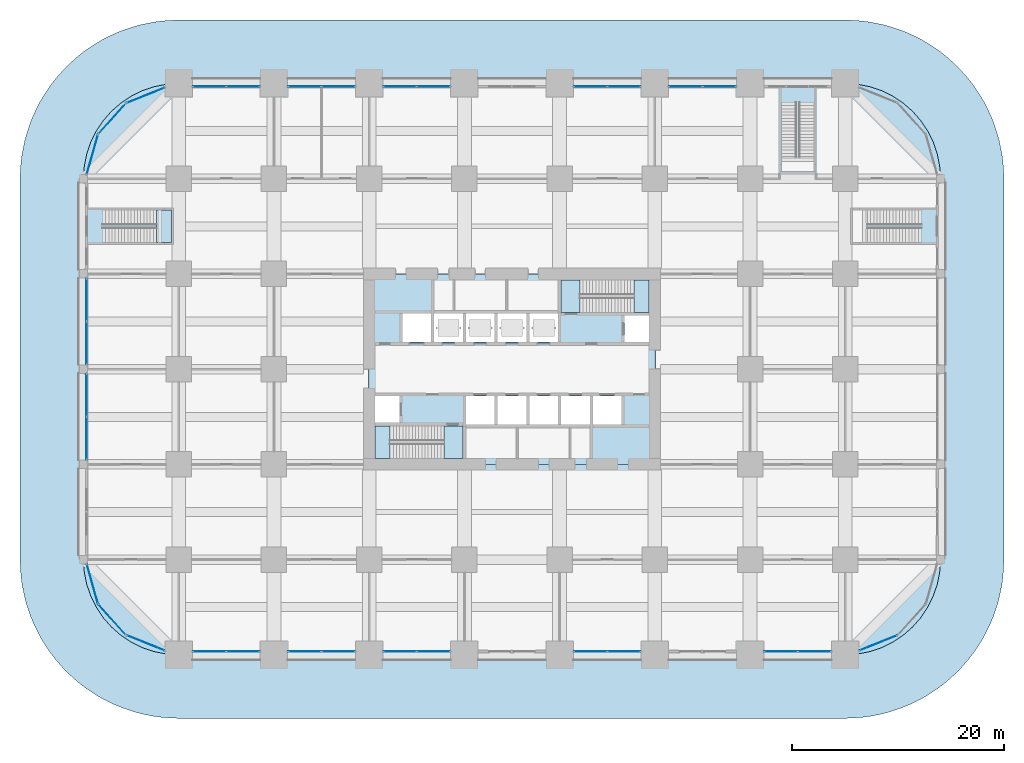
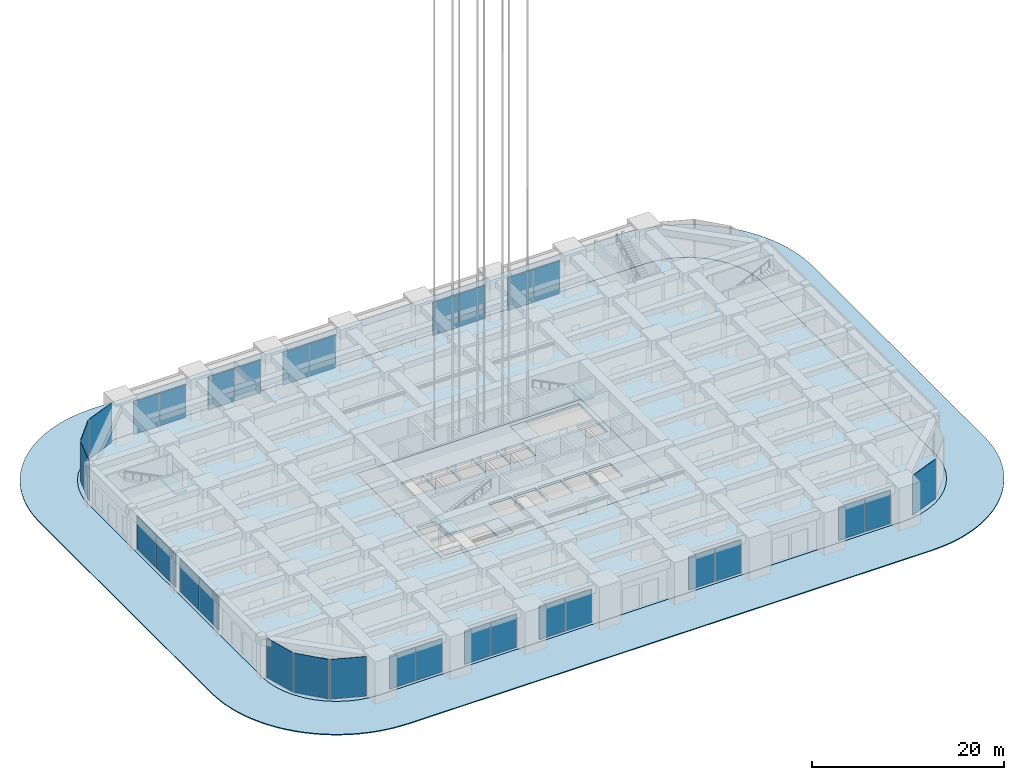
# One storey, part 39 of 56: 31 plates, 8 slabs, 22 elements without a shape of their own.
"""IFC4 building model written with IfcOpenShell, lengths in metres."""

import ifcopenshell
import ifcopenshell.guid

model = None  # the IFC model being written
_history = None  # IfcOwnerHistory: only IFC2X3 demands one
_inside = {}  # id of a spatial element -> (the spatial element, [elements in it])
_under = {}  # id of a project, library or spatial element -> (it, [spatial elements below it])
_declared = {}  # id of a project -> (the project, [libraries it declares])
_typed = {}  # id of a type object -> (the type object, [elements of that type])
_made_of = {}  # id of a material, layer set ... -> (it, [elements and type objects made of it])


def new_model(schema):
    """Start an empty IFC model of exactly this schema.

    Asked for "IFC4X3", IfcOpenShell would pick the latest addendum, in which some entities
    have other attributes; the version numbers below select the first issue.
    IFC2X3 requires an IfcOwnerHistory on every rooted entity: one is made here for all.
    """
    global model, _history
    if schema == "IFC4X3":
        model = ifcopenshell.file(schema_version=(4, 3, 0, 0))
    else:
        model = ifcopenshell.file(schema=schema)
    _inside.clear()
    _under.clear()
    _declared.clear()
    _typed.clear()
    _made_of.clear()
    _history = None
    if model.schema == "IFC2X3":
        org = make("IfcOrganization", Name="unknown")
        user = make(
            "IfcPersonAndOrganization",
            ThePerson=make("IfcPerson", FamilyName="unknown"),
            TheOrganization=org,
        )
        app = make(
            "IfcApplication",
            ApplicationDeveloper=org,
            Version="unknown",
            ApplicationFullName="unknown",
            ApplicationIdentifier="unknown",
        )
        _history = make(
            "IfcOwnerHistory",
            OwningUser=user,
            OwningApplication=app,
            ChangeAction="ADDED",
            CreationDate=0,
        )
    return model


def make(cls, **values):
    """One entity of the class cls with the attributes given. An attribute that is None is left unset."""
    return model.create_entity(
        cls, **{name: value for name, value in values.items() if value is not None}
    )


def rooted(cls, **values):
    """An entity with a GlobalId (a new one), such as an element, a storey or a relation."""
    return make(cls, GlobalId=ifcopenshell.guid.new(), OwnerHistory=_history, **values)


def si_unit(unit_type, name, prefix=None):
    """IfcSIUnit, for example si_unit("LENGTHUNIT", "METRE", prefix="MILLI")."""
    return make("IfcSIUnit", UnitType=unit_type, Prefix=prefix, Name=name)


def assignment(units):
    """IfcUnitAssignment: the units of a project."""
    return None if units is None else make("IfcUnitAssignment", Units=units)


def point(xyz):
    """IfcCartesianPoint."""
    return None if xyz is None else make("IfcCartesianPoint", Coordinates=xyz)


def direction(xyz):
    """IfcDirection."""
    return None if xyz is None else make("IfcDirection", DirectionRatios=xyz)


def frame(location, z_axis=None, x_axis=None):
    """IfcAxis2Placement3D, a coordinate frame: its origin and axes. An axis left out is left unset."""
    return make(
        "IfcAxis2Placement3D",
        Location=point(location),
        Axis=direction(z_axis),
        RefDirection=direction(x_axis),
    )


def frame_2d(location, x_axis=None):
    """IfcAxis2Placement2D, a coordinate frame in the plane: its origin and x axis."""
    return make(
        "IfcAxis2Placement2D", Location=point(location), RefDirection=direction(x_axis)
    )


def origin():
    """The frame at (0, 0, 0) with its axes left unset."""
    return frame((0.0, 0.0, 0.0))


def origin_2d():
    """The frame at (0, 0) in the plane with its x axis left unset."""
    return frame_2d((0.0, 0.0))


def place(relative_to, where):
    """IfcLocalPlacement: puts the frame where relative to a parent placement (None: the world)."""
    return make(
        "IfcLocalPlacement", PlacementRelTo=relative_to, RelativePlacement=where
    )


def context(
    kind, dimensions, precision=None, world=None, true_north=None, identifier=None
):
    """IfcGeometricRepresentationContext, for example the 3D "Model" context."""
    return make(
        "IfcGeometricRepresentationContext",
        ContextIdentifier=identifier,
        ContextType=kind,
        CoordinateSpaceDimension=dimensions,
        Precision=precision,
        WorldCoordinateSystem=world,
        TrueNorth=true_north,
    )


def subcontext(parent, identifier, kind, view, scale=None):
    """IfcGeometricRepresentationSubContext, for example "Body" below "Model"."""
    return make(
        "IfcGeometricRepresentationSubContext",
        ContextIdentifier=identifier,
        ContextType=kind,
        ParentContext=parent,
        TargetScale=scale,
        TargetView=view,
    )


def project(units=None, contexts=None):
    """IfcProject with its units and contexts."""
    return rooted(
        "IfcProject",
        Name="project",
        RepresentationContexts=contexts,
        UnitsInContext=assignment(units),
    )


def spatial(cls, under=None, at=None, **own):
    """A site, building, storey or space (cls), placed at a placement, below another one or the project."""
    s = rooted(cls, ObjectPlacement=at, **own)
    if under is not None:
        _under.setdefault(under.id(), (under, []))[1].append(s)
    return s


def polyline(points):
    """IfcPolyline through the points."""
    return make("IfcPolyline", Points=[point(p) for p in points])


def profile(cls, at=None, kind="AREA", **sizes):
    """A parametric profile (cls). Its sizes go by their IFC names, for example OverallWidth=200.0."""
    return make(cls, ProfileType=kind, Position=at, **sizes)


def rectangle(**sizes):
    """IfcRectangleProfileDef."""
    return profile("IfcRectangleProfileDef", **sizes)


def outline(outer, holes=None, kind="AREA"):
    """IfcArbitraryClosedProfileDef: a profile drawn as a closed curve; with holes, ...WithVoids."""
    if holes is None:
        return make("IfcArbitraryClosedProfileDef", ProfileType=kind, OuterCurve=outer)
    return make(
        "IfcArbitraryProfileDefWithVoids",
        ProfileType=kind,
        OuterCurve=outer,
        InnerCurves=holes,
    )


def extrude(swept, where, along, depth):
    """IfcExtrudedAreaSolid: the profile swept, set in the frame where, extruded along a direction by depth."""
    return make(
        "IfcExtrudedAreaSolid",
        SweptArea=swept,
        Position=where,
        ExtrudedDirection=direction(along),
        Depth=depth,
    )


def shape(context_of_items, identifier, shape_type, items):
    """IfcShapeRepresentation: the items that make up one representation, for example the "Body"."""
    return make(
        "IfcShapeRepresentation",
        ContextOfItems=context_of_items,
        RepresentationIdentifier=identifier,
        RepresentationType=shape_type,
        Items=items,
    )


def material(Name=None, Category=None):
    """IfcMaterial."""
    return make("IfcMaterial", Name=Name, Category=Category)


def layer(
    of_material, thickness, ventilated=None, Name=None, Category=None, Priority=None
):
    """IfcMaterialLayer: one layer of a wall or slab, of a material (None: an air gap)."""
    return make(
        "IfcMaterialLayer",
        Material=of_material,
        LayerThickness=thickness,
        IsVentilated=ventilated,
        Name=Name,
        Category=Category,
        Priority=Priority,
    )


def layer_set(layers, Name=None):
    """IfcMaterialLayerSet."""
    return make("IfcMaterialLayerSet", MaterialLayers=layers, LayerSetName=Name)


def made_of(thing, what):
    """Note that an element or type object is made of a material, layer set ...; save() writes the relation."""
    if what is not None:
        _made_of.setdefault(what.id(), (what, []))[1].append(thing)
    return thing


def type_object(cls, material=None, **own):
    """A type object (cls), such as IfcWallType, which elements share."""
    return made_of(rooted(cls, **own), material)


def element(
    cls,
    number,
    at=None,
    inside=None,
    cuts=None,
    type_object=None,
    material=None,
    context=None,
    identifier="Body",
    shape_type=None,
    held_by="IfcProductDefinitionShape",
    body=None,
    shapes=None,
    **own,
):
    """One element of the class cls, such as IfcWall. Its Tag is "e" and its number.

    at: its placement. inside: the storey or other place that contains it. cuts: it is an
    opening in that element (IfcRelVoidsElement). A single representation is given by context,
    identifier, shape_type and body (its items); several are given by shapes. held_by: the class
    of the entity that holds the representations. save() writes the other relations.
    """
    e = rooted(cls, Tag="e%d" % number, ObjectPlacement=at, **own)
    if body is not None:
        shapes = [shape(context, identifier, shape_type, body)]
    if shapes is not None:
        e.Representation = make(held_by, Representations=shapes)
    if inside is not None:
        _inside.setdefault(inside.id(), (inside, []))[1].append(e)
    if cuts is not None:
        rooted(
            "IfcRelVoidsElement", RelatingBuildingElement=cuts, RelatedOpeningElement=e
        )
    if type_object is not None:
        _typed.setdefault(type_object.id(), (type_object, []))[1].append(e)
    return made_of(e, material)


def aggregate(whole, parts):
    """IfcRelAggregates: a whole, such as a stair, and the parts it consists of."""
    return rooted("IfcRelAggregates", RelatingObject=whole, RelatedObjects=parts)


def save(model, path):
    """Write the relations noted so far, then the file.

    IfcRelAggregates (storeys below a building ...), IfcRelContainedInSpatialStructure (elements
    in a storey), IfcRelDefinesByType, IfcRelAssociatesMaterial and IfcRelDeclares: one each for
    every whole, place, type object, material and project.
    """
    for whole, parts in _under.values():
        aggregate(whole, parts)
    for where, things in _inside.values():
        rooted(
            "IfcRelContainedInSpatialStructure",
            RelatedElements=things,
            RelatingStructure=where,
        )
    for kind, things in _typed.values():
        rooted("IfcRelDefinesByType", RelatedObjects=things, RelatingType=kind)
    for what, things in _made_of.values():
        rooted("IfcRelAssociatesMaterial", RelatedObjects=things, RelatingMaterial=what)
    for by, libraries in _declared.values():
        rooted("IfcRelDeclares", RelatingContext=by, RelatedDefinitions=libraries)
    model.write(path)


model = new_model("IFC4")

# Units and contexts
model_context = context("Model", 3, precision=1e-05, world=origin(), true_north=direction((0.0, 1.0)))
body_context = subcontext(model_context, "Body", "Model", "MODEL_VIEW")
ifc_project = project(units=[si_unit("LENGTHUNIT", "METRE"), si_unit("AREAUNIT", "SQUARE_METRE"), si_unit("VOLUMEUNIT", "CUBIC_METRE"), si_unit("PLANEANGLEUNIT", "RADIAN"), si_unit("MASSUNIT", "GRAM", prefix="KILO")], contexts=[model_context])

# Site, building, storey
site_placement = place(None, origin())
site = spatial("IfcSite", under=ifc_project, at=site_placement, CompositionType="ELEMENT")
building_placement = place(site_placement, origin())
building = spatial("IfcBuilding", under=site, at=building_placement, Name="Zorevar Civic Tower", CompositionType="ELEMENT")
storey_placement = place(building_placement, origin())
storey = spatial("IfcBuildingStorey", under=building, at=storey_placement, Name="L00", CompositionType="ELEMENT", Elevation=0.0)

# Curtain wall, plates
ifc_material_1 = material(Name="Dark grey solar-control glass in black aluminium frame", Category="aluminium")
curtain_wall_type = type_object("IfcCurtainWallType", Name="Curtain wall CW1 podium", PredefinedType="NOTDEFINED", material=ifc_material_1)
curtain_wall_1_placement = place(storey_placement, origin())
curtain_wall_1 = element("IfcCurtainWall", 1, at=curtain_wall_1_placement, inside=storey, type_object=curtain_wall_type, Name="CW1 L00", PredefinedType="NOTDEFINED")
ifc_material_2 = material(Name="Dark grey solar-control glass", Category="glass")
ifc_layer_1 = layer(ifc_material_2, 0.033935546875)
ifc_layer_set_1 = layer_set([ifc_layer_1], Name="CW1 panel 34")
plate_type = type_object("IfcPlateType", Name="CW1 panel 34", PredefinedType="CURTAIN_PANEL", material=ifc_layer_set_1)
plate_1_placement = place(storey_placement, frame((2.9150390625, 0.300048828125, 0.06005859375), z_axis=(0.0, 0.0, 1.0), x_axis=(1.0, 0.0, 0.0)))
plate_1 = element("IfcPlate", 2, at=plate_1_placement, type_object=plate_type, Name="CW1 panel 1.1", PredefinedType="CURTAIN_PANEL", context=body_context, shape_type="SweptSolid", body=[
    extrude(rectangle(XDim=3.110107421875, YDim=0.033935546875, at=origin_2d()), origin(), (0.0, 0.0, 1.0), 4.239990234375),
])
plate_2_placement = place(storey_placement, frame((6.0849609375, 0.300048828125, 0.06005859375), z_axis=(0.0, 0.0, 1.0), x_axis=(1.0, 0.0, 0.0)))
plate_2 = element("IfcPlate", 3, at=plate_2_placement, type_object=plate_type, Name="CW1 panel 2.1", PredefinedType="CURTAIN_PANEL", context=body_context, shape_type="SweptSolid", body=[
    extrude(rectangle(XDim=3.110107421875, YDim=0.033935546875, at=origin_2d()), origin(), (0.0, 0.0, 1.0), 4.239990234375),
])
aggregate(curtain_wall_1, [plate_1, plate_2])

curtain_wall_2_placement = place(storey_placement, origin())
curtain_wall_2 = element("IfcCurtainWall", 4, at=curtain_wall_2_placement, inside=storey, type_object=curtain_wall_type, Name="CW1 L00", PredefinedType="NOTDEFINED")
plate_3_placement = place(storey_placement, frame((2.9150390625, 53.699951171875, 0.06005859375), z_axis=(0.0, 0.0, 1.0), x_axis=(1.0, 0.0, 0.0)))
plate_3 = element("IfcPlate", 5, at=plate_3_placement, type_object=plate_type, Name="CW1 panel 1.1", PredefinedType="CURTAIN_PANEL", context=body_context, shape_type="SweptSolid", body=[
    extrude(rectangle(XDim=3.110107421875, YDim=0.033935546875, at=origin_2d()), origin(), (0.0, 0.0, 1.0), 4.239990234375),
])
plate_4_placement = place(storey_placement, frame((6.0849609375, 53.699951171875, 0.06005859375), z_axis=(0.0, 0.0, 1.0), x_axis=(1.0, 0.0, 0.0)))
plate_4 = element("IfcPlate", 6, at=plate_4_placement, type_object=plate_type, Name="CW1 panel 2.1", PredefinedType="CURTAIN_PANEL", context=body_context, shape_type="SweptSolid", body=[
    extrude(rectangle(XDim=3.110107421875, YDim=0.033935546875, at=origin_2d()), origin(), (0.0, 0.0, 1.0), 4.239990234375),
])
aggregate(curtain_wall_2, [plate_3, plate_4])

curtain_wall_3_placement = place(storey_placement, origin())
curtain_wall_3 = element("IfcCurtainWall", 7, at=curtain_wall_3_placement, inside=storey, type_object=curtain_wall_type, Name="CW1 L00", PredefinedType="NOTDEFINED")
plate_5_placement = place(storey_placement, frame((11.9150390625, 0.300048828125, 0.06005859375), z_axis=(0.0, 0.0, 1.0), x_axis=(1.0, 0.0, 0.0)))
plate_5 = element("IfcPlate", 8, at=plate_5_placement, type_object=plate_type, Name="CW1 panel 1.1", PredefinedType="CURTAIN_PANEL", context=body_context, shape_type="SweptSolid", body=[
    extrude(rectangle(XDim=3.110107421875, YDim=0.033935546875, at=origin_2d()), origin(), (0.0, 0.0, 1.0), 4.239990234375),
])
plate_6_placement = place(storey_placement, frame((15.0849609375, 0.300048828125, 0.06005859375), z_axis=(0.0, 0.0, 1.0), x_axis=(1.0, 0.0, 0.0)))
plate_6 = element("IfcPlate", 9, at=plate_6_placement, type_object=plate_type, Name="CW1 panel 2.1", PredefinedType="CURTAIN_PANEL", context=body_context, shape_type="SweptSolid", body=[
    extrude(rectangle(XDim=3.110107421875, YDim=0.033935546875, at=origin_2d()), origin(), (0.0, 0.0, 1.0), 4.239990234375),
])
aggregate(curtain_wall_3, [plate_5, plate_6])

curtain_wall_4_placement = place(storey_placement, origin())
curtain_wall_4 = element("IfcCurtainWall", 10, at=curtain_wall_4_placement, inside=storey, type_object=curtain_wall_type, Name="CW1 L00", PredefinedType="NOTDEFINED")
plate_7_placement = place(storey_placement, frame((11.9150390625, 53.699951171875, 0.06005859375), z_axis=(0.0, 0.0, 1.0), x_axis=(1.0, 0.0, 0.0)))
plate_7 = element("IfcPlate", 11, at=plate_7_placement, type_object=plate_type, Name="CW1 panel 1.1", PredefinedType="CURTAIN_PANEL", context=body_context, shape_type="SweptSolid", body=[
    extrude(rectangle(XDim=3.110107421875, YDim=0.033935546875, at=origin_2d()), origin(), (0.0, 0.0, 1.0), 4.239990234375),
])
plate_8_placement = place(storey_placement, frame((15.0849609375, 53.699951171875, 0.06005859375), z_axis=(0.0, 0.0, 1.0), x_axis=(1.0, 0.0, 0.0)))
plate_8 = element("IfcPlate", 12, at=plate_8_placement, type_object=plate_type, Name="CW1 panel 2.1", PredefinedType="CURTAIN_PANEL", context=body_context, shape_type="SweptSolid", body=[
    extrude(rectangle(XDim=3.110107421875, YDim=0.033935546875, at=origin_2d()), origin(), (0.0, 0.0, 1.0), 4.239990234375),
])
aggregate(curtain_wall_4, [plate_7, plate_8])

curtain_wall_5_placement = place(storey_placement, origin())
curtain_wall_5 = element("IfcCurtainWall", 13, at=curtain_wall_5_placement, inside=storey, type_object=curtain_wall_type, Name="CW1 L00", PredefinedType="NOTDEFINED")
plate_9_placement = place(storey_placement, frame((20.9150390625, 0.300048828125, 0.06005859375), z_axis=(0.0, 0.0, 1.0), x_axis=(1.0, 0.0, 0.0)))
plate_9 = element("IfcPlate", 14, at=plate_9_placement, type_object=plate_type, Name="CW1 panel 1.1", PredefinedType="CURTAIN_PANEL", context=body_context, shape_type="SweptSolid", body=[
    extrude(rectangle(XDim=3.110107421875, YDim=0.033935546875, at=origin_2d()), origin(), (0.0, 0.0, 1.0), 4.239990234375),
])
plate_10_placement = place(storey_placement, frame((24.0849609375, 0.300048828125, 0.06005859375), z_axis=(0.0, 0.0, 1.0), x_axis=(1.0, 0.0, 0.0)))
plate_10 = element("IfcPlate", 15, at=plate_10_placement, type_object=plate_type, Name="CW1 panel 2.1", PredefinedType="CURTAIN_PANEL", context=body_context, shape_type="SweptSolid", body=[
    extrude(rectangle(XDim=3.110107421875, YDim=0.033935546875, at=origin_2d()), origin(), (0.0, 0.0, 1.0), 4.239990234375),
])
aggregate(curtain_wall_5, [plate_9, plate_10])

curtain_wall_6_placement = place(storey_placement, origin())
curtain_wall_6 = element("IfcCurtainWall", 16, at=curtain_wall_6_placement, inside=storey, type_object=curtain_wall_type, Name="CW1 L00", PredefinedType="NOTDEFINED")
plate_11_placement = place(storey_placement, frame((20.9150390625, 53.699951171875, 0.06005859375), z_axis=(0.0, 0.0, 1.0), x_axis=(1.0, 0.0, 0.0)))
plate_11 = element("IfcPlate", 17, at=plate_11_placement, type_object=plate_type, Name="CW1 panel 1.1", PredefinedType="CURTAIN_PANEL", context=body_context, shape_type="SweptSolid", body=[
    extrude(rectangle(XDim=3.110107421875, YDim=0.033935546875, at=origin_2d()), origin(), (0.0, 0.0, 1.0), 4.239990234375),
])
plate_12_placement = place(storey_placement, frame((24.0849609375, 53.699951171875, 0.06005859375), z_axis=(0.0, 0.0, 1.0), x_axis=(1.0, 0.0, 0.0)))
plate_12 = element("IfcPlate", 18, at=plate_12_placement, type_object=plate_type, Name="CW1 panel 2.1", PredefinedType="CURTAIN_PANEL", context=body_context, shape_type="SweptSolid", body=[
    extrude(rectangle(XDim=3.110107421875, YDim=0.033935546875, at=origin_2d()), origin(), (0.0, 0.0, 1.0), 4.239990234375),
])
aggregate(curtain_wall_6, [plate_11, plate_12])

curtain_wall_7_placement = place(storey_placement, origin())
curtain_wall_7 = element("IfcCurtainWall", 19, at=curtain_wall_7_placement, inside=storey, type_object=curtain_wall_type, Name="CW1 L00", PredefinedType="NOTDEFINED")
plate_13_placement = place(storey_placement, frame((38.9150390625, 0.300048828125, 0.06005859375), z_axis=(0.0, 0.0, 1.0), x_axis=(1.0, 0.0, 0.0)))
plate_13 = element("IfcPlate", 20, at=plate_13_placement, type_object=plate_type, Name="CW1 panel 1.1", PredefinedType="CURTAIN_PANEL", context=body_context, shape_type="SweptSolid", body=[
    extrude(rectangle(XDim=3.110107421875, YDim=0.033935546875, at=origin_2d()), origin(), (0.0, 0.0, 1.0), 4.239990234375),
])
plate_14_placement = place(storey_placement, frame((42.0849609375, 0.300048828125, 0.06005859375), z_axis=(0.0, 0.0, 1.0), x_axis=(1.0, 0.0, 0.0)))
plate_14 = element("IfcPlate", 21, at=plate_14_placement, type_object=plate_type, Name="CW1 panel 2.1", PredefinedType="CURTAIN_PANEL", context=body_context, shape_type="SweptSolid", body=[
    extrude(rectangle(XDim=3.110107421875, YDim=0.033935546875, at=origin_2d()), origin(), (0.0, 0.0, 1.0), 4.239990234375),
])
aggregate(curtain_wall_7, [plate_13, plate_14])

curtain_wall_8_placement = place(storey_placement, origin())
curtain_wall_8 = element("IfcCurtainWall", 22, at=curtain_wall_8_placement, inside=storey, type_object=curtain_wall_type, Name="CW1 L00", PredefinedType="NOTDEFINED")
plate_15_placement = place(storey_placement, frame((38.9150390625, 53.699951171875, 0.06005859375), z_axis=(0.0, 0.0, 1.0), x_axis=(1.0, 0.0, 0.0)))
plate_15 = element("IfcPlate", 23, at=plate_15_placement, type_object=plate_type, Name="CW1 panel 1.1", PredefinedType="CURTAIN_PANEL", context=body_context, shape_type="SweptSolid", body=[
    extrude(rectangle(XDim=3.110107421875, YDim=0.033935546875, at=origin_2d()), origin(), (0.0, 0.0, 1.0), 4.239990234375),
])
plate_16_placement = place(storey_placement, frame((42.0849609375, 53.699951171875, 0.06005859375), z_axis=(0.0, 0.0, 1.0), x_axis=(1.0, 0.0, 0.0)))
plate_16 = element("IfcPlate", 24, at=plate_16_placement, type_object=plate_type, Name="CW1 panel 2.1", PredefinedType="CURTAIN_PANEL", context=body_context, shape_type="SweptSolid", body=[
    extrude(rectangle(XDim=3.110107421875, YDim=0.033935546875, at=origin_2d()), origin(), (0.0, 0.0, 1.0), 4.239990234375),
])
aggregate(curtain_wall_8, [plate_15, plate_16])

curtain_wall_9_placement = place(storey_placement, origin())
curtain_wall_9 = element("IfcCurtainWall", 25, at=curtain_wall_9_placement, inside=storey, type_object=curtain_wall_type, Name="CW1 L00", PredefinedType="NOTDEFINED")
plate_17_placement = place(storey_placement, frame((47.9150390625, 53.699951171875, 0.06005859375), z_axis=(0.0, 0.0, 1.0), x_axis=(1.0, 0.0, 0.0)))
plate_17 = element("IfcPlate", 26, at=plate_17_placement, type_object=plate_type, Name="CW1 panel 1.1", PredefinedType="CURTAIN_PANEL", context=body_context, shape_type="SweptSolid", body=[
    extrude(rectangle(XDim=3.110107421875, YDim=0.033935546875, at=origin_2d()), origin(), (0.0, 0.0, 1.0), 4.239990234375),
])
plate_18_placement = place(storey_placement, frame((51.0849609375, 53.699951171875, 0.06005859375), z_axis=(0.0, 0.0, 1.0), x_axis=(1.0, 0.0, 0.0)))
plate_18 = element("IfcPlate", 27, at=plate_18_placement, type_object=plate_type, Name="CW1 panel 2.1", PredefinedType="CURTAIN_PANEL", context=body_context, shape_type="SweptSolid", body=[
    extrude(rectangle(XDim=3.110107421875, YDim=0.033935546875, at=origin_2d()), origin(), (0.0, 0.0, 1.0), 4.239990234375),
])
aggregate(curtain_wall_9, [plate_17, plate_18])

curtain_wall_10_placement = place(storey_placement, origin())
curtain_wall_10 = element("IfcCurtainWall", 28, at=curtain_wall_10_placement, inside=storey, type_object=curtain_wall_type, Name="CW1 L00", PredefinedType="NOTDEFINED")
plate_19_placement = place(storey_placement, frame((56.9150390625, 0.300048828125, 0.06005859375), z_axis=(0.0, 0.0, 1.0), x_axis=(1.0, 0.0, 0.0)))
plate_19 = element("IfcPlate", 29, at=plate_19_placement, type_object=plate_type, Name="CW1 panel 1.1", PredefinedType="CURTAIN_PANEL", context=body_context, shape_type="SweptSolid", body=[
    extrude(rectangle(XDim=3.110107421875, YDim=0.033935546875, at=origin_2d()), origin(), (0.0, 0.0, 1.0), 4.239990234375),
])
plate_20_placement = place(storey_placement, frame((60.0849609375, 0.300048828125, 0.06005859375), z_axis=(0.0, 0.0, 1.0), x_axis=(1.0, 0.0, 0.0)))
plate_20 = element("IfcPlate", 30, at=plate_20_placement, type_object=plate_type, Name="CW1 panel 2.1", PredefinedType="CURTAIN_PANEL", context=body_context, shape_type="SweptSolid", body=[
    extrude(rectangle(XDim=3.110107421875, YDim=0.033935546875, at=origin_2d()), origin(), (0.0, 0.0, 1.0), 4.239990234375),
])
aggregate(curtain_wall_10, [plate_19, plate_20])

curtain_wall_11_placement = place(storey_placement, origin())
curtain_wall_11 = element("IfcCurtainWall", 31, at=curtain_wall_11_placement, inside=storey, type_object=curtain_wall_type, Name="CW1 L00", PredefinedType="NOTDEFINED")
plate_21_placement = place(storey_placement, frame((-8.699951171875, 20.465087890625, 0.06005859375), z_axis=(0.0, 0.0, 1.0), x_axis=(0.0, 1.0, 0.0)))
plate_21 = element("IfcPlate", 32, at=plate_21_placement, type_object=plate_type, Name="CW1 panel 1.1", PredefinedType="CURTAIN_PANEL", context=body_context, shape_type="SweptSolid", body=[
    extrude(rectangle(XDim=4.010009765625, YDim=0.033935546875, at=origin_2d()), origin(), (0.0, 0.0, 1.0), 4.239990234375),
])
plate_22_placement = place(storey_placement, frame((-8.699951171875, 24.534912109375, 0.06005859375), z_axis=(0.0, 0.0, 1.0), x_axis=(0.0, 1.0, 0.0)))
plate_22 = element("IfcPlate", 33, at=plate_22_placement, type_object=plate_type, Name="CW1 panel 2.1", PredefinedType="CURTAIN_PANEL", context=body_context, shape_type="SweptSolid", body=[
    extrude(rectangle(XDim=4.010009765625, YDim=0.033935546875, at=origin_2d()), origin(), (0.0, 0.0, 1.0), 4.239990234375),
])
aggregate(curtain_wall_11, [plate_21, plate_22])

curtain_wall_12_placement = place(storey_placement, origin())
curtain_wall_12 = element("IfcCurtainWall", 34, at=curtain_wall_12_placement, inside=storey, type_object=curtain_wall_type, Name="CW1 L00", PredefinedType="NOTDEFINED")
plate_23_placement = place(storey_placement, frame((-8.699951171875, 29.465087890625, 0.06005859375), z_axis=(0.0, 0.0, 1.0), x_axis=(0.0, 1.0, 0.0)))
plate_23 = element("IfcPlate", 35, at=plate_23_placement, type_object=plate_type, Name="CW1 panel 1.1", PredefinedType="CURTAIN_PANEL", context=body_context, shape_type="SweptSolid", body=[
    extrude(rectangle(XDim=4.010009765625, YDim=0.033935546875, at=origin_2d()), origin(), (0.0, 0.0, 1.0), 4.239990234375),
])
plate_24_placement = place(storey_placement, frame((-8.699951171875, 33.534912109375, 0.06005859375), z_axis=(0.0, 0.0, 1.0), x_axis=(0.0, 1.0, 0.0)))
plate_24 = element("IfcPlate", 36, at=plate_24_placement, type_object=plate_type, Name="CW1 panel 2.1", PredefinedType="CURTAIN_PANEL", context=body_context, shape_type="SweptSolid", body=[
    extrude(rectangle(XDim=4.010009765625, YDim=0.033935546875, at=origin_2d()), origin(), (0.0, 0.0, 1.0), 4.239990234375),
])
aggregate(curtain_wall_12, [plate_23, plate_24])

# Curtain wall, plate
curtain_wall_13_placement = place(storey_placement, origin())
curtain_wall_13 = element("IfcCurtainWall", 37, at=curtain_wall_13_placement, inside=storey, type_object=curtain_wall_type, Name="CW1 L00", PredefinedType="NOTDEFINED")
plate_25_placement = place(storey_placement, frame((66.1357421875, 1.129150390625, 0.06005859375), z_axis=(0.0, 0.0, 1.0), x_axis=(0.928987553289, 0.370110964218, 0.0)))
plate_25 = element("IfcPlate", 38, at=plate_25_placement, type_object=plate_type, Name="CW1 panel 1.1", PredefinedType="CURTAIN_PANEL", context=body_context, shape_type="SweptSolid", body=[
    extrude(rectangle(XDim=3.83203125, YDim=0.033935546875, at=origin_2d()), origin(), (0.0, 0.0, 1.0), 5.0400390625),
])
aggregate(curtain_wall_13, [plate_25])

curtain_wall_14_placement = place(storey_placement, origin())
curtain_wall_14 = element("IfcCurtainWall", 39, at=curtain_wall_14_placement, inside=storey, type_object=curtain_wall_type, Name="CW1 L00", PredefinedType="NOTDEFINED")
plate_26_placement = place(storey_placement, frame((-3.1357421875, 52.870849609375, 0.06005859375), z_axis=(0.0, 0.0, 1.0), x_axis=(-0.928987553289, -0.370110964218, 0.0)))
plate_26 = element("IfcPlate", 40, at=plate_26_placement, type_object=plate_type, Name="CW1 panel 1.1", PredefinedType="CURTAIN_PANEL", context=body_context, shape_type="SweptSolid", body=[
    extrude(rectangle(XDim=3.83203125, YDim=0.033935546875, at=origin_2d()), origin(), (0.0, 0.0, 1.0), 5.0400390625),
])
aggregate(curtain_wall_14, [plate_26])

curtain_wall_15_placement = place(storey_placement, origin())
curtain_wall_15 = element("IfcCurtainWall", 41, at=curtain_wall_15_placement, inside=storey, type_object=curtain_wall_type, Name="CW1 L00", PredefinedType="NOTDEFINED")
plate_27_placement = place(storey_placement, frame((-6.294189453125, 50.671630859375, 0.06005859375), z_axis=(0.0, 0.0, 1.0), x_axis=(-0.669402758568, -0.742899688263, 0.0)))
plate_27 = element("IfcPlate", 42, at=plate_27_placement, type_object=plate_type, Name="CW1 panel 1.1", PredefinedType="CURTAIN_PANEL", context=body_context, shape_type="SweptSolid", body=[
    extrude(rectangle(XDim=3.83203125, YDim=0.033935546875, at=origin_2d()), origin(), (0.0, 0.0, 1.0), 5.0400390625),
])
aggregate(curtain_wall_15, [plate_27])

curtain_wall_16_placement = place(storey_placement, origin())
curtain_wall_16 = element("IfcCurtainWall", 43, at=curtain_wall_16_placement, inside=storey, type_object=curtain_wall_type, Name="CW1 L00", PredefinedType="NOTDEFINED")
plate_28_placement = place(storey_placement, frame((-8.15380859375, 47.3017578125, 0.06005859375), z_axis=(0.0, 0.0, 1.0), x_axis=(-0.271669082929, -0.962390725943, 0.0)))
plate_28 = element("IfcPlate", 44, at=plate_28_placement, type_object=plate_type, Name="CW1 panel 1.1", PredefinedType="CURTAIN_PANEL", context=body_context, shape_type="SweptSolid", body=[
    extrude(rectangle(XDim=3.83203125, YDim=0.033935546875, at=origin_2d()), origin(), (0.0, 0.0, 1.0), 5.0400390625),
])
aggregate(curtain_wall_16, [plate_28])

curtain_wall_17_placement = place(storey_placement, origin())
curtain_wall_17 = element("IfcCurtainWall", 45, at=curtain_wall_17_placement, inside=storey, type_object=curtain_wall_type, Name="CW1 L00", PredefinedType="NOTDEFINED")
plate_29_placement = place(storey_placement, frame((-8.15380859375, 6.6982421875, 0.06005859375), z_axis=(0.0, 0.0, 1.0), x_axis=(0.271669082929, -0.962390725943, 0.0)))
plate_29 = element("IfcPlate", 46, at=plate_29_placement, type_object=plate_type, Name="CW1 panel 1.1", PredefinedType="CURTAIN_PANEL", context=body_context, shape_type="SweptSolid", body=[
    extrude(rectangle(XDim=3.83203125, YDim=0.033935546875, at=origin_2d()), origin(), (0.0, 0.0, 1.0), 5.0400390625),
])
aggregate(curtain_wall_17, [plate_29])

curtain_wall_18_placement = place(storey_placement, origin())
curtain_wall_18 = element("IfcCurtainWall", 47, at=curtain_wall_18_placement, inside=storey, type_object=curtain_wall_type, Name="CW1 L00", PredefinedType="NOTDEFINED")
plate_30_placement = place(storey_placement, frame((-6.294189453125, 3.328369140625, 0.06005859375), z_axis=(0.0, 0.0, 1.0), x_axis=(0.669402758568, -0.742899688263, 0.0)))
plate_30 = element("IfcPlate", 48, at=plate_30_placement, type_object=plate_type, Name="CW1 panel 1.1", PredefinedType="CURTAIN_PANEL", context=body_context, shape_type="SweptSolid", body=[
    extrude(rectangle(XDim=3.83203125, YDim=0.033935546875, at=origin_2d()), origin(), (0.0, 0.0, 1.0), 5.0400390625),
])
aggregate(curtain_wall_18, [plate_30])

curtain_wall_19_placement = place(storey_placement, origin())
curtain_wall_19 = element("IfcCurtainWall", 49, at=curtain_wall_19_placement, inside=storey, type_object=curtain_wall_type, Name="CW1 L00", PredefinedType="NOTDEFINED")
plate_31_placement = place(storey_placement, frame((-3.1357421875, 1.129150390625, 0.06005859375), z_axis=(0.0, 0.0, 1.0), x_axis=(0.928987553289, -0.370110964218, 0.0)))
plate_31 = element("IfcPlate", 50, at=plate_31_placement, type_object=plate_type, Name="CW1 panel 1.1", PredefinedType="CURTAIN_PANEL", context=body_context, shape_type="SweptSolid", body=[
    extrude(rectangle(XDim=3.83203125, YDim=0.033935546875, at=origin_2d()), origin(), (0.0, 0.0, 1.0), 5.0400390625),
])
aggregate(curtain_wall_19, [plate_31])

# Slabs
ifc_material_3 = material(Name="Concrete C40/50", Category="concrete")
ifc_layer_2 = layer(ifc_material_3, 0.300048828125)
ifc_layer_set_2 = layer_set([ifc_layer_2], Name="Floor slab 300")
slab_type_1 = type_object("IfcSlabType", Name="Floor slab 300", PredefinedType="FLOOR", material=ifc_layer_set_2)
slab_1_placement = place(storey_placement, frame((0.0, 0.0, -0.300048828125)))
element("IfcSlab", 51, at=slab_1_placement, inside=storey, type_object=slab_type_1, Name="Floor slab L00", PredefinedType="FLOOR", context=body_context, shape_type="SweptSolid", body=[
    extrude(outline(polyline([(63.0, 0.0), (64.1748046875, 0.076904296875), (65.329345703125, 0.306640625), (66.444091796875, 0.68505859375), (67.5, 1.205810546875), (68.478759765625, 1.85986328125), (69.364013671875, 2.635986328125), (70.14013671875, 3.521240234375), (70.794189453125, 4.5), (71.31494140625, 5.555908203125), (71.693359375, 6.670654296875), (71.923095703125, 7.8251953125), (72.0, 9.0), (72.0, 45.0), (71.923095703125, 46.1748046875), (71.693359375, 47.329345703125), (71.31494140625, 48.444091796875), (70.794189453125, 49.5), (70.14013671875, 50.478759765625), (69.364013671875, 51.364013671875), (68.478759765625, 52.14013671875), (67.5, 52.794189453125), (66.444091796875, 53.31494140625), (65.329345703125, 53.693359375), (64.1748046875, 53.923095703125), (63.0, 54.0), (0.0, 54.0), (-1.1748046875, 53.923095703125), (-2.329345703125, 53.693359375), (-3.444091796875, 53.31494140625), (-4.5, 52.794189453125), (-5.478759765625, 52.14013671875), (-6.364013671875, 51.364013671875), (-7.14013671875, 50.478759765625), (-7.794189453125, 49.5), (-8.31494140625, 48.444091796875), (-8.693359375, 47.329345703125), (-8.923095703125, 46.1748046875), (-9.0, 45.0), (-9.0, 9.0), (-8.923095703125, 7.8251953125), (-8.693359375, 6.670654296875), (-8.31494140625, 5.555908203125), (-7.794189453125, 4.5), (-7.14013671875, 3.521240234375), (-6.364013671875, 2.635986328125), (-5.478759765625, 1.85986328125), (-4.5, 1.205810546875), (-3.444091796875, 0.68505859375), (-2.329345703125, 0.306640625), (-1.1748046875, 0.076904296875), (0.0, 0.0), (63.0, 0.0)]), holes=[polyline([(18.0, 18.0), (45.0, 18.0), (45.0, 36.0), (18.0, 36.0), (18.0, 18.0)])]), origin(), (0.0, 0.0, 1.0), 0.300048828125),
])
slab_2_placement = place(storey_placement, frame((0.0, 0.0, -0.300048828125)))
element("IfcSlab", 52, at=slab_2_placement, inside=storey, type_object=slab_type_1, Name="Core floor L00", PredefinedType="FLOOR", context=body_context, shape_type="SweptSolid", body=[
    extrude(outline(polyline([(18.0, 18.0), (45.0, 18.0), (45.0, 36.0), (18.0, 36.0), (18.0, 18.0)]), holes=[polyline([(18.550048828125, 18.550048828125), (26.85009765625, 18.550048828125), (26.85009765625, 21.64990234375), (18.550048828125, 21.64990234375), (18.550048828125, 18.550048828125)]), polyline([(36.14990234375, 32.35009765625), (44.449951171875, 32.35009765625), (44.449951171875, 35.449951171875), (36.14990234375, 35.449951171875), (36.14990234375, 32.35009765625)]), polyline([(18.550048828125, 21.949951171875), (20.85009765625, 21.949951171875), (20.85009765625, 24.449951171875), (18.550048828125, 24.449951171875), (18.550048828125, 21.949951171875)]), polyline([(42.14990234375, 29.550048828125), (44.449951171875, 29.550048828125), (44.449951171875, 32.050048828125), (42.14990234375, 32.050048828125), (42.14990234375, 29.550048828125)]), polyline([(27.14990234375, 21.75), (29.85009765625, 21.75), (29.85009765625, 24.449951171875), (27.14990234375, 24.449951171875), (27.14990234375, 21.75)]), polyline([(33.14990234375, 29.550048828125), (35.85009765625, 29.550048828125), (35.85009765625, 32.25), (33.14990234375, 32.25), (33.14990234375, 29.550048828125)]), polyline([(30.14990234375, 21.75), (32.85009765625, 21.75), (32.85009765625, 24.449951171875), (30.14990234375, 24.449951171875), (30.14990234375, 21.75)]), polyline([(30.14990234375, 29.550048828125), (32.85009765625, 29.550048828125), (32.85009765625, 32.25), (30.14990234375, 32.25), (30.14990234375, 29.550048828125)]), polyline([(33.14990234375, 21.75), (35.85009765625, 21.75), (35.85009765625, 24.449951171875), (33.14990234375, 24.449951171875), (33.14990234375, 21.75)]), polyline([(27.14990234375, 29.550048828125), (29.85009765625, 29.550048828125), (29.85009765625, 32.25), (27.14990234375, 32.25), (27.14990234375, 29.550048828125)]), polyline([(36.14990234375, 21.75), (38.85009765625, 21.75), (38.85009765625, 24.449951171875), (36.14990234375, 24.449951171875), (36.14990234375, 21.75)]), polyline([(24.14990234375, 29.550048828125), (26.85009765625, 29.550048828125), (26.85009765625, 32.25), (24.14990234375, 32.25), (24.14990234375, 29.550048828125)]), polyline([(39.14990234375, 21.75), (41.85009765625, 21.75), (41.85009765625, 24.449951171875), (39.14990234375, 24.449951171875), (39.14990234375, 21.75)]), polyline([(21.14990234375, 29.550048828125), (23.85009765625, 29.550048828125), (23.85009765625, 32.25), (21.14990234375, 32.25), (21.14990234375, 29.550048828125)])]), origin(), (0.0, 0.0, 1.0), 0.300048828125),
])
ifc_material_4 = material(Name="Granite setts on concrete base", Category="masonry")
ifc_layer_3 = layer(ifc_material_4, 0.1201171875)
ifc_layer_set_3 = layer_set([ifc_layer_3], Name="Forecourt paving 120")
slab_type_2 = type_object("IfcSlabType", Name="Forecourt paving 120", PredefinedType="USERDEFINED", material=ifc_layer_set_3)
slab_3_placement = place(storey_placement, frame((0.0, 0.0, -0.1201171875)))
element("IfcSlab", 53, at=slab_3_placement, inside=storey, type_object=slab_type_2, Name="Forecourt paving", ObjectType="PAVING", PredefinedType="USERDEFINED", context=body_context, shape_type="SweptSolid", body=[
    extrude(outline(polyline([(0.0, -6.0), (-0.392333984375, -5.987060546875), (-1.567138671875, -5.91015625), (-2.34521484375, -5.8076171875), (-3.5, -5.578125), (-4.258056640625, -5.375), (-5.372802734375, -4.99658203125), (-6.097900390625, -4.696044921875), (-7.15380859375, -4.175537109375), (-7.83349609375, -3.782958984375), (-8.812255859375, -3.12890625), (-9.434814453125, -2.651123046875), (-10.320068359375, -1.875), (-10.875, -1.320068359375), (-11.651123046875, -0.434814453125), (-12.12890625, 0.187744140625), (-12.782958984375, 1.16650390625), (-13.175537109375, 1.84619140625), (-13.696044921875, 2.902099609375), (-13.99658203125, 3.627197265625), (-14.375, 4.741943359375), (-14.578125, 5.5), (-14.8076171875, 6.65478515625), (-14.91015625, 7.432861328125), (-14.987060546875, 8.607666015625), (-15.0, 9.0), (-15.0, 45.0), (-14.987060546875, 45.392333984375), (-14.91015625, 46.567138671875), (-14.8076171875, 47.34521484375), (-14.578125, 48.5), (-14.375, 49.258056640625), (-13.99658203125, 50.372802734375), (-13.696044921875, 51.097900390625), (-13.175537109375, 52.15380859375), (-12.782958984375, 52.83349609375), (-12.12890625, 53.812255859375), (-11.651123046875, 54.434814453125), (-10.875, 55.320068359375), (-10.320068359375, 55.875), (-9.434814453125, 56.651123046875), (-8.812255859375, 57.12890625), (-7.83349609375, 57.782958984375), (-7.15380859375, 58.175537109375), (-6.097900390625, 58.696044921875), (-5.372802734375, 58.99658203125), (-4.258056640625, 59.375), (-3.5, 59.578125), (-2.34521484375, 59.8076171875), (-1.567138671875, 59.91015625), (-0.392333984375, 59.987060546875), (0.0, 60.0), (63.0, 60.0), (63.392333984375, 59.987060546875), (64.567138671875, 59.91015625), (65.34521484375, 59.8076171875), (66.5, 59.578125), (67.258056640625, 59.375), (68.372802734375, 58.99658203125), (69.097900390625, 58.696044921875), (70.15380859375, 58.175537109375), (70.83349609375, 57.782958984375), (71.812255859375, 57.12890625), (72.434814453125, 56.651123046875), (73.320068359375, 55.875), (73.875, 55.320068359375), (74.651123046875, 54.434814453125), (75.12890625, 53.812255859375), (75.782958984375, 52.83349609375), (76.175537109375, 52.15380859375), (76.696044921875, 51.097900390625), (76.99658203125, 50.372802734375), (77.375, 49.258056640625), (77.578125, 48.5), (77.8076171875, 47.34521484375), (77.91015625, 46.567138671875), (77.987060546875, 45.392333984375), (78.0, 45.0), (78.0, 9.0), (77.987060546875, 8.607666015625), (77.91015625, 7.432861328125), (77.8076171875, 6.65478515625), (77.578125, 5.5), (77.375, 4.741943359375), (76.99658203125, 3.627197265625), (76.696044921875, 2.902099609375), (76.175537109375, 1.84619140625), (75.782958984375, 1.16650390625), (75.12890625, 0.187744140625), (74.651123046875, -0.434814453125), (73.875, -1.320068359375), (73.320068359375, -1.875), (72.434814453125, -2.651123046875), (71.812255859375, -3.12890625), (70.83349609375, -3.782958984375), (70.15380859375, -4.175537109375), (69.097900390625, -4.696044921875), (68.372802734375, -4.99658203125), (67.258056640625, -5.375), (66.5, -5.578125), (65.34521484375, -5.8076171875), (64.567138671875, -5.91015625), (63.392333984375, -5.987060546875), (63.0, -6.0), (0.0, -6.0)]), holes=[polyline([(64.1748046875, 0.076904296875), (65.329345703125, 0.306640625), (66.444091796875, 0.68505859375), (67.5, 1.205810546875), (68.478759765625, 1.85986328125), (69.364013671875, 2.635986328125), (70.14013671875, 3.521240234375), (70.794189453125, 4.5), (71.31494140625, 5.555908203125), (71.693359375, 6.670654296875), (71.923095703125, 7.8251953125), (72.0, 9.0), (72.0, 45.0), (71.923095703125, 46.1748046875), (71.693359375, 47.329345703125), (71.31494140625, 48.444091796875), (70.794189453125, 49.5), (70.14013671875, 50.478759765625), (69.364013671875, 51.364013671875), (68.478759765625, 52.14013671875), (67.5, 52.794189453125), (66.444091796875, 53.31494140625), (65.329345703125, 53.693359375), (64.1748046875, 53.923095703125), (63.0, 54.0), (0.0, 54.0), (-1.1748046875, 53.923095703125), (-2.329345703125, 53.693359375), (-3.444091796875, 53.31494140625), (-4.5, 52.794189453125), (-5.478759765625, 52.14013671875), (-6.364013671875, 51.364013671875), (-7.14013671875, 50.478759765625), (-7.794189453125, 49.5), (-8.31494140625, 48.444091796875), (-8.693359375, 47.329345703125), (-8.923095703125, 46.1748046875), (-9.0, 45.0), (-9.0, 9.0), (-8.923095703125, 7.8251953125), (-8.693359375, 6.670654296875), (-8.31494140625, 5.555908203125), (-7.794189453125, 4.5), (-7.14013671875, 3.521240234375), (-6.364013671875, 2.635986328125), (-5.478759765625, 1.85986328125), (-4.5, 1.205810546875), (-3.444091796875, 0.68505859375), (-2.329345703125, 0.306640625), (-1.1748046875, 0.076904296875), (0.0, 0.0), (63.0, 0.0), (64.1748046875, 0.076904296875)])]), origin(), (0.0, 0.0, 1.0), 0.1201171875),
])

# Stair, slabs
ifc_material_5 = material(Name="Precast concrete C40/50", Category="concrete")
stair_type_1 = type_object("IfcStairType", Name="Stair ST 36R", PredefinedType="HALF_TURN_STAIR", material=ifc_material_5)
stair_1_placement = place(storey_placement, origin())
stair_1 = element("IfcStair", 54, at=stair_1_placement, inside=storey, type_object=stair_type_1, Name="Stair ST1 L00", PredefinedType="HALF_TURN_STAIR")
ifc_material_6 = material(Name="Concrete C40/50", Category="concrete")
ifc_layer_4 = layer(ifc_material_6, 0.199951171875)
ifc_layer_set_4 = layer_set([ifc_layer_4], Name="Stair landing 200")
slab_type_3 = type_object("IfcSlabType", Name="Stair landing 200", PredefinedType="LANDING", material=ifc_layer_set_4)
slab_4_placement = place(storey_placement, frame((0.0, 0.0, -0.199951171875)))
slab_4 = element("IfcSlab", 55, at=slab_4_placement, type_object=slab_type_3, Name="ST1 landing 1", PredefinedType="LANDING", context=body_context, shape_type="SweptSolid", body=[
    extrude(outline(polyline([(25.050048828125, 18.550048828125), (26.85009765625, 18.550048828125), (26.85009765625, 21.64990234375), (25.050048828125, 21.64990234375), (25.050048828125, 18.550048828125)])), origin(), (0.0, 0.0, 1.0), 0.199951171875),
])
slab_5_placement = place(storey_placement, frame((0.0, 0.0, 2.5)))
slab_5 = element("IfcSlab", 56, at=slab_5_placement, type_object=slab_type_3, Name="ST1 landing 2", PredefinedType="LANDING", context=body_context, shape_type="SweptSolid", body=[
    extrude(outline(polyline([(18.550048828125, 18.550048828125), (19.97998046875, 18.550048828125), (19.97998046875, 21.64990234375), (18.550048828125, 21.64990234375), (18.550048828125, 18.550048828125)])), origin(), (0.0, 0.0, 1.0), 0.199951171875),
])
aggregate(stair_1, [slab_4, slab_5])

stair_2_placement = place(storey_placement, origin())
stair_2 = element("IfcStair", 57, at=stair_2_placement, inside=storey, type_object=stair_type_1, Name="Stair ST2 L00", PredefinedType="HALF_TURN_STAIR")
slab_6_placement = place(storey_placement, frame((0.0, 0.0, -0.199951171875)))
slab_6 = element("IfcSlab", 58, at=slab_6_placement, type_object=slab_type_3, Name="ST2 landing 1", PredefinedType="LANDING", context=body_context, shape_type="SweptSolid", body=[
    extrude(outline(polyline([(37.949951171875, 32.35009765625), (36.14990234375, 32.35009765625), (36.14990234375, 35.449951171875), (37.949951171875, 35.449951171875), (37.949951171875, 32.35009765625)])), origin(), (0.0, 0.0, 1.0), 0.199951171875),
])
slab_7_placement = place(storey_placement, frame((0.0, 0.0, 2.5)))
slab_7 = element("IfcSlab", 59, at=slab_7_placement, type_object=slab_type_3, Name="ST2 landing 2", PredefinedType="LANDING", context=body_context, shape_type="SweptSolid", body=[
    extrude(outline(polyline([(44.449951171875, 32.35009765625), (43.02001953125, 32.35009765625), (43.02001953125, 35.449951171875), (44.449951171875, 35.449951171875), (44.449951171875, 32.35009765625)])), origin(), (0.0, 0.0, 1.0), 0.199951171875),
])
aggregate(stair_2, [slab_6, slab_7])

# Stair, slab
ifc_material_7 = material(Name="Precast concrete C40/50", Category="concrete")
stair_type_2 = type_object("IfcStairType", Name="Escape stair PS 36R", PredefinedType="HALF_TURN_STAIR", material=ifc_material_7)
stair_3_placement = place(storey_placement, origin())
stair_3 = element("IfcStair", 60, at=stair_3_placement, inside=storey, type_object=stair_type_2, Name="Escape stair PS1 L00", PredefinedType="HALF_TURN_STAIR")
slab_8_placement = place(storey_placement, frame((0.0, 0.0, 2.5)))
slab_8 = element("IfcSlab", 61, at=slab_8_placement, type_object=slab_type_3, Name="PS1 landing 1", PredefinedType="LANDING", context=body_context, shape_type="SweptSolid", body=[
    extrude(outline(polyline([(-2.10009765625, 38.97509765625), (-0.699951171875, 38.97509765625), (-0.699951171875, 42.02490234375), (-2.10009765625, 42.02490234375), (-2.10009765625, 38.97509765625)])), origin(), (0.0, 0.0, 1.0), 0.199951171875),
])
aggregate(stair_3, [slab_8])

save(model, "model.ifc")
